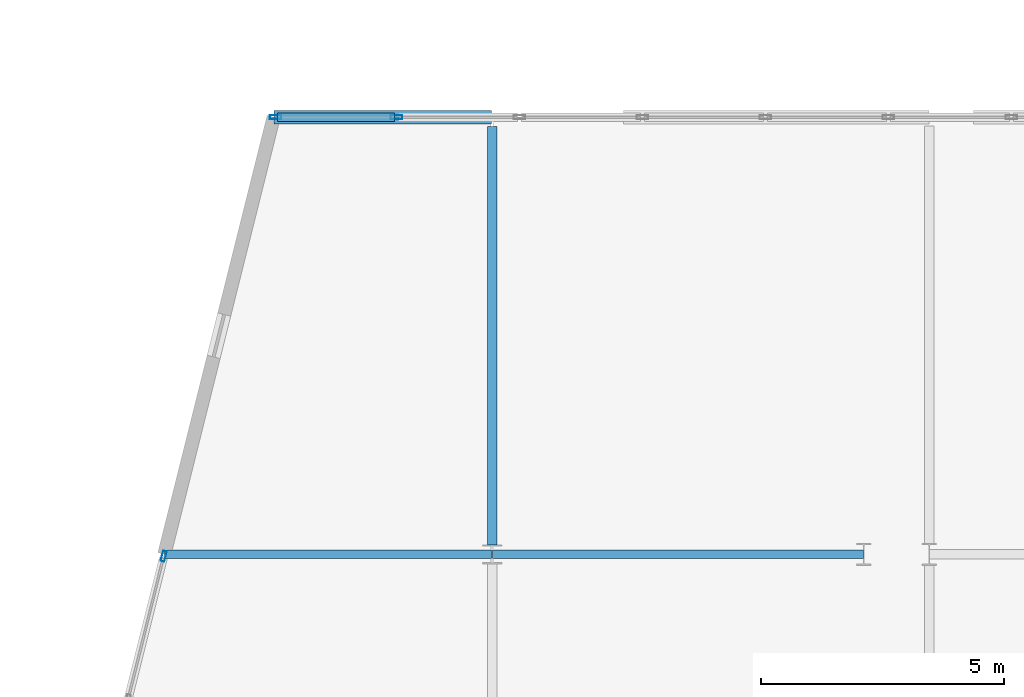
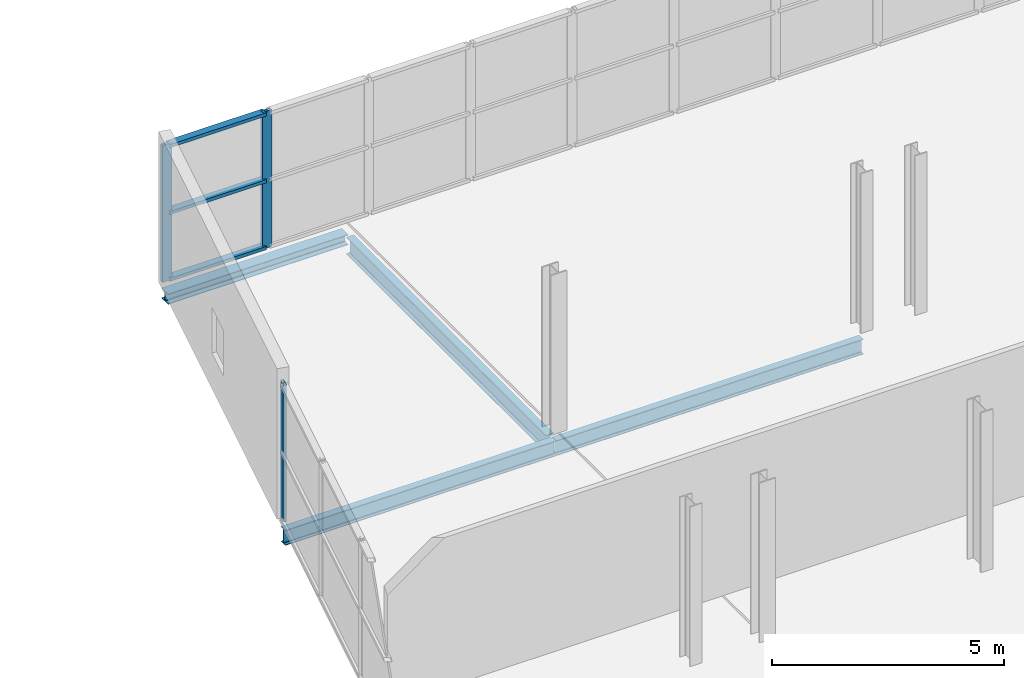
# One storey, part 59 of 88: 6 members, 4 beams, 2 elements without a shape of their own.
"""IFC4 building model written with IfcOpenShell, lengths in metres."""

from ifc_helpers import new_model, si_unit, direction, frame, origin, origin_2d, place, context, subcontext, project, spatial, hollow_rectangle, i_section, extrude, material, layer, layer_set, material_profile, profile_set, type_object, element, aggregate, save


model = new_model("IFC4")

# Units and contexts
model_context = context("Model", 3, precision=1e-05, world=origin(), true_north=direction((0.0, 1.0)))
body_context = subcontext(model_context, "Body", "Model", "MODEL_VIEW")
ifc_project = project(units=[si_unit("LENGTHUNIT", "METRE"), si_unit("AREAUNIT", "SQUARE_METRE"), si_unit("VOLUMEUNIT", "CUBIC_METRE"), si_unit("PLANEANGLEUNIT", "RADIAN"), si_unit("MASSUNIT", "GRAM", prefix="KILO")], contexts=[model_context])

# Site, building, storey
site_placement = place(None, origin())
site = spatial("IfcSite", under=ifc_project, at=site_placement, CompositionType="ELEMENT")
building_placement = place(site_placement, origin())
building = spatial("IfcBuilding", under=site, at=building_placement, Name="Deido Ridge Mobility Hub", CompositionType="ELEMENT")
storey_placement = place(building_placement, frame((0.0, 0.0, 16.800048828125)))
storey = spatial("IfcBuildingStorey", under=building, at=storey_placement, Name="L04", CompositionType="ELEMENT", Elevation=16.800048828125)

# Beams
ifc_material_1 = material(Name="Steel S355J2 EN 10025-2", Category="steel")
ifc_material_profile_1 = material_profile(ifc_material_1, i_section(OverallWidth=0.179931640625, OverallDepth=0.39990234375, WebThickness=0.008544921875, FlangeThickness=0.013427734375, FilletRadius=0.02099609375, at=origin_2d()), Name="IPE 400")
ifc_profile_set_1 = profile_set([ifc_material_profile_1], Name="Steel S355J2 EN 10025-2")
beam_type_1 = type_object("IfcBeamType", Name="BM-IPE400", PredefinedType="BEAM", material=ifc_profile_set_1)
beam_1_placement = place(storey_placement, frame((137.256103515625, 63.0, -0.47509765625), z_axis=(1.0, 0.0, 0.0), x_axis=(0.0, 1.0, 0.0)))
element("IfcBeam", 1, at=beam_1_placement, inside=storey, type_object=beam_type_1, Name="Floor beam B5", PredefinedType="BEAM", context=body_context, shape_type="SweptSolid", body=[
    extrude(i_section(OverallWidth=0.179931640625, OverallDepth=0.39990234375, WebThickness=0.008544921875, FlangeThickness=0.013427734375, FilletRadius=0.02099609375, at=origin_2d()), origin(), (0.0, 0.0, 1.0), 6.735107421875),
])
beam_2_placement = place(storey_placement, frame((144.0087890625, 63.0, -0.47509765625), z_axis=(1.0, 0.0, 0.0), x_axis=(0.0, 1.0, 0.0)))
element("IfcBeam", 2, at=beam_2_placement, inside=storey, type_object=beam_type_1, Name="Floor beam B5", PredefinedType="BEAM", context=body_context, shape_type="SweptSolid", body=[
    extrude(i_section(OverallWidth=0.179931640625, OverallDepth=0.39990234375, WebThickness=0.008544921875, FlangeThickness=0.013427734375, FilletRadius=0.02099609375, at=origin_2d()), origin(), (0.0, 0.0, 1.0), 7.63427734375),
])
ifc_material_profile_2 = material_profile(ifc_material_1, i_section(OverallWidth=0.18994140625, OverallDepth=0.449951171875, WebThickness=0.009521484375, FlangeThickness=0.0146484375, FilletRadius=0.02099609375, at=origin_2d()), Name="IPE 450")
ifc_profile_set_2 = profile_set([ifc_material_profile_2], Name="Steel S355J2 EN 10025-2")
beam_type_2 = type_object("IfcBeamType", Name="BM-IPE450", PredefinedType="BEAM", material=ifc_profile_set_2)
beam_3_placement = place(storey_placement, frame((144.0, 63.196533203125, -0.5), z_axis=(0.0, 1.0, 0.0), x_axis=(-1.0, 0.0, 0.0)))
element("IfcBeam", 3, at=beam_3_placement, inside=storey, type_object=beam_type_2, Name="Floor beam B4", PredefinedType="BEAM", context=body_context, shape_type="SweptSolid", body=[
    extrude(i_section(OverallWidth=0.18994140625, OverallDepth=0.449951171875, WebThickness=0.009521484375, FlangeThickness=0.0146484375, FilletRadius=0.02099609375, at=origin_2d()), origin(), (0.0, 0.0, 1.0), 8.60693359375),
])

# Curtain wall, member
ifc_material_2 = material(Name="Anodised aluminium EN AW-6063 T6", Category="aluminium")
ifc_layer_1 = layer(ifc_material_2, 0.27001953125, Name="Anodised aluminium EN AW-6063 T6")
ifc_layer_set_1 = layer_set([ifc_layer_1], Name="Anodised aluminium EN AW-6063 T6")
curtain_wall_type_1 = type_object("IfcCurtainWallType", Name="CW-UF-8", PredefinedType="USERDEFINED", material=ifc_layer_set_1)
curtain_wall_1_placement = place(storey_placement, origin())
curtain_wall_1 = element("IfcCurtainWall", 4, at=curtain_wall_1_placement, inside=storey, type_object=curtain_wall_type_1, Name="Unitised curtain wall CW8", ObjectType="UNITISED FACADE", PredefinedType="USERDEFINED")
ifc_material_profile_3 = material_profile(ifc_material_2, hollow_rectangle(XDim=0.080078125, YDim=0.219970703125, WallThickness=0.00390625, at=origin_2d()), Name="RHS 80x220x4")
ifc_profile_set_3 = profile_set([ifc_material_profile_3], Name="Anodised aluminium EN AW-6063 T6")
member_type_1 = type_object("IfcMemberType", Name="MEM-MUL-80X220", PredefinedType="MULLION", material=ifc_profile_set_3)
member_1_placement = place(storey_placement, frame((137.240234375, 62.961181640625, 0.0), z_axis=(0.0, 0.0, 1.0), x_axis=(-0.970142500145, 0.242535625038, 0.0)))
member_1 = element("IfcMember", 5, at=member_1_placement, type_object=member_type_1, Name="CW8 mullion 4", PredefinedType="MULLION", context=body_context, shape_type="SweptSolid", body=[
    extrude(hollow_rectangle(XDim=0.080078125, YDim=0.219970703125, WallThickness=0.00390625, at=origin_2d()), origin(), (0.0, 0.0, 1.0), 3.599853515625),
])
aggregate(curtain_wall_1, [member_1])

# Curtain wall, members
ifc_layer_2 = layer(ifc_material_2, 0.132080078125, Name="Anodised aluminium EN AW-6063 T6")
ifc_layer_set_2 = layer_set([ifc_layer_2], Name="Anodised aluminium EN AW-6063 T6")
curtain_wall_type_2 = type_object("IfcCurtainWallType", Name="CW-GS-1", PredefinedType="USERDEFINED", material=ifc_layer_set_2)
curtain_wall_2_placement = place(storey_placement, origin())
curtain_wall_2 = element("IfcCurtainWall", 6, at=curtain_wall_2_placement, inside=storey, type_object=curtain_wall_type_2, Name="Unitised curtain wall GS1", ObjectType="GLAZED SCREEN", PredefinedType="USERDEFINED")
ifc_material_profile_4 = material_profile(ifc_material_2, hollow_rectangle(XDim=0.0849609375, YDim=0.235107421875, WallThickness=0.00390625, at=origin_2d()), Name="RHS 85x235x4")
ifc_profile_set_4 = profile_set([ifc_material_profile_4], Name="Anodised aluminium EN AW-6063 T6")
member_type_2 = type_object("IfcMemberType", Name="MEM-MUL-85X235", PredefinedType="MULLION", material=ifc_profile_set_4)
member_2_placement = place(storey_placement, frame((139.54248046875, 72.0, 0.0), z_axis=(0.0, 0.0, 1.0), x_axis=(0.0, 1.0, 0.0)))
member_2 = element("IfcMember", 7, at=member_2_placement, type_object=member_type_2, Name="GS1 mullion 1", PredefinedType="MULLION", context=body_context, shape_type="SweptSolid", body=[
    extrude(hollow_rectangle(XDim=0.0849609375, YDim=0.235107421875, WallThickness=0.00390625, at=origin_2d()), origin(), (0.0, 0.0, 1.0), 3.599853515625),
])
member_3_placement = place(storey_placement, frame((142.03125, 72.0, 0.0), z_axis=(0.0, 0.0, 1.0), x_axis=(0.0, 1.0, 0.0)))
member_3 = element("IfcMember", 8, at=member_3_placement, type_object=member_type_2, Name="GS1 mullion 2", PredefinedType="MULLION", context=body_context, shape_type="SweptSolid", body=[
    extrude(hollow_rectangle(XDim=0.0849609375, YDim=0.235107421875, WallThickness=0.00390625, at=origin_2d()), origin(), (0.0, 0.0, 1.0), 3.599853515625),
])
ifc_material_profile_5 = material_profile(ifc_material_2, hollow_rectangle(XDim=0.175048828125, YDim=0.0849609375, WallThickness=0.00390625, at=origin_2d()), Name="RHS 175x85x4")
ifc_profile_set_5 = profile_set([ifc_material_profile_5], Name="Anodised aluminium EN AW-6063 T6")
member_type_3 = type_object("IfcMemberType", Name="MEM-TRN-175X85", PredefinedType="USERDEFINED", material=ifc_profile_set_5)
member_4_placement = place(storey_placement, frame((139.5849609375, 72.0, 0.04248046875), z_axis=(1.0, 0.0, 0.0), x_axis=(0.0, 1.0, 0.0)))
member_4 = element("IfcMember", 9, at=member_4_placement, type_object=member_type_3, Name="GS1 transom 1.1", ObjectType="TRANSOM", PredefinedType="USERDEFINED", context=body_context, shape_type="SweptSolid", body=[
    extrude(hollow_rectangle(XDim=0.175048828125, YDim=0.0849609375, WallThickness=0.00390625, at=origin_2d()), origin(), (0.0, 0.0, 1.0), 2.40380859375),
])
member_5_placement = place(storey_placement, frame((139.5849609375, 72.0, 1.800048828125), z_axis=(1.0, 0.0, 0.0), x_axis=(0.0, 1.0, 0.0)))
member_5 = element("IfcMember", 10, at=member_5_placement, type_object=member_type_3, Name="GS1 transom 1.2", ObjectType="TRANSOM", PredefinedType="USERDEFINED", context=body_context, shape_type="SweptSolid", body=[
    extrude(hollow_rectangle(XDim=0.175048828125, YDim=0.0849609375, WallThickness=0.00390625, at=origin_2d()), origin(), (0.0, 0.0, 1.0), 2.40380859375),
])
member_6_placement = place(storey_placement, frame((139.5849609375, 72.0, 3.557373046875), z_axis=(1.0, 0.0, 0.0), x_axis=(0.0, 1.0, 0.0)))
member_6 = element("IfcMember", 11, at=member_6_placement, type_object=member_type_3, Name="GS1 transom 1.3", ObjectType="TRANSOM", PredefinedType="USERDEFINED", context=body_context, shape_type="SweptSolid", body=[
    extrude(hollow_rectangle(XDim=0.175048828125, YDim=0.0849609375, WallThickness=0.00390625, at=origin_2d()), origin(), (0.0, 0.0, 1.0), 2.40380859375),
])
aggregate(curtain_wall_2, [member_2, member_3, member_4, member_5, member_6])

# Beam
ifc_material_profile_6 = material_profile(ifc_material_1, i_section(OverallWidth=0.280029296875, OverallDepth=0.27001953125, WebThickness=0.008056640625, FlangeThickness=0.012939453125, FilletRadius=0.02392578125, at=origin_2d()), Name="HEA 280")
ifc_profile_set_6 = profile_set([ifc_material_profile_6], Name="Steel S355J2 EN 10025-2")
beam_type_3 = type_object("IfcBeamType", Name="SPD-HEA280", PredefinedType="SPANDREL", material=ifc_profile_set_6)
beam_4_placement = place(storey_placement, frame((139.506103515625, 72.0, -0.41015625), z_axis=(1.0, 0.0, 0.0), x_axis=(0.0, 1.0, 0.0)))
element("IfcBeam", 12, at=beam_4_placement, inside=storey, type_object=beam_type_3, Name="Floor beam SP2", PredefinedType="SPANDREL", context=body_context, shape_type="SweptSolid", body=[
    extrude(i_section(OverallWidth=0.280029296875, OverallDepth=0.27001953125, WebThickness=0.008056640625, FlangeThickness=0.012939453125, FilletRadius=0.02392578125, at=origin_2d()), origin(), (0.0, 0.0, 1.0), 4.485107421875),
])

save(model, "model.ifc")
